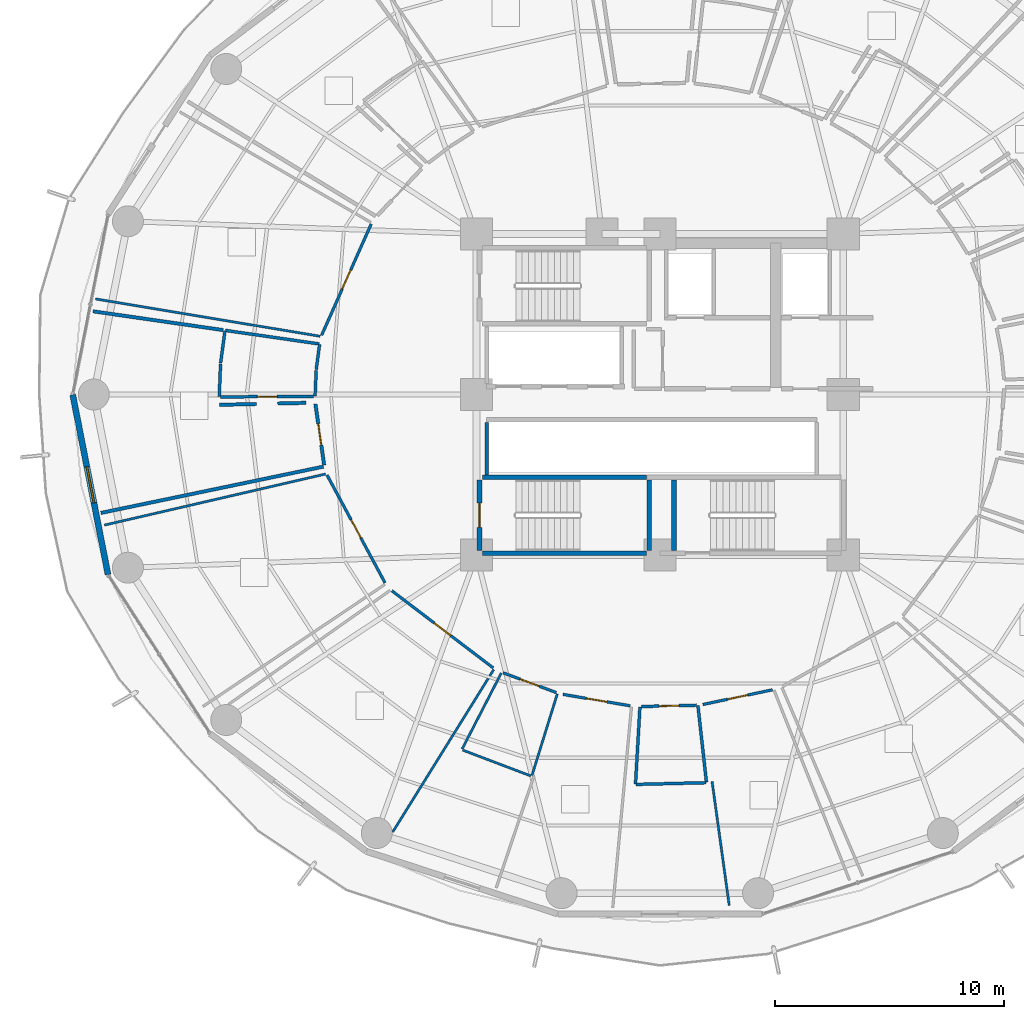
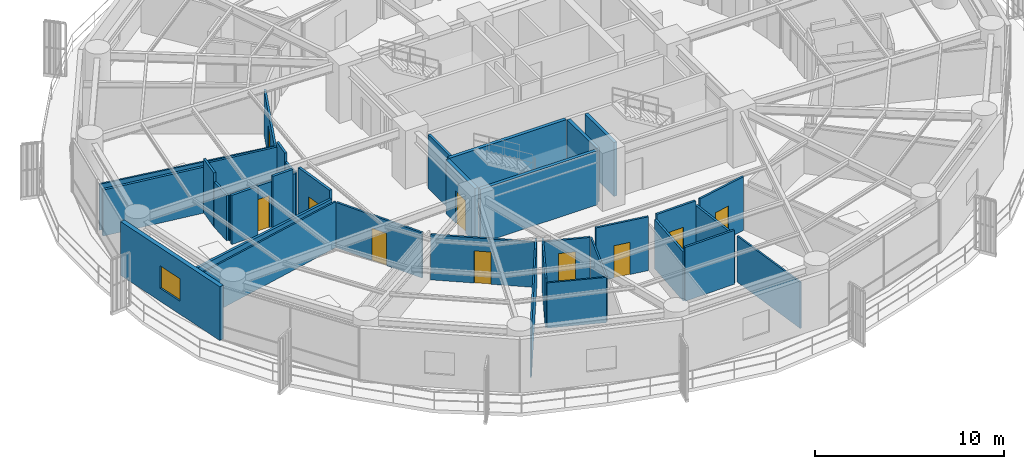
# One storey, part 27 of 35: 35 walls, 10 doors, 1 window, 11 openings.
"""IFC4 building model written with IfcOpenShell, lengths in metres."""

from ifc_helpers import new_model, si_unit, direction, frame, frame_2d, origin, place, context, subcontext, project, spatial, rectangle, extrude, material, layer, layer_set, type_object, element, fill, save


model = new_model("IFC4")

# Units and contexts
model_context = context("Model", 3, precision=1e-05, world=origin(), true_north=direction((0.0, 1.0)))
body_context = subcontext(model_context, "Body", "Model", "MODEL_VIEW")
ifc_project = project(units=[si_unit("LENGTHUNIT", "METRE"), si_unit("AREAUNIT", "SQUARE_METRE"), si_unit("VOLUMEUNIT", "CUBIC_METRE"), si_unit("PLANEANGLEUNIT", "RADIAN"), si_unit("MASSUNIT", "GRAM", prefix="KILO")], contexts=[model_context])

# Site, building, storey
site_placement = place(None, origin())
site = spatial("IfcSite", under=ifc_project, at=site_placement, CompositionType="ELEMENT")
building_placement = place(site_placement, origin())
building = spatial("IfcBuilding", under=site, at=building_placement, Name="Kelanora Arch Commons", CompositionType="ELEMENT")
storey_placement = place(building_placement, frame((0.0, 0.0, 95.10009765625)))
storey = spatial("IfcBuildingStorey", under=building, at=storey_placement, Name="L24", CompositionType="ELEMENT", Elevation=95.10009765625)

# Wall
ifc_material_1 = material(Name="Autoclaved aerated concrete blockwork with fire plaster", Category="masonry")
ifc_layer_1 = layer(ifc_material_1, 0.14990234375)
ifc_layer_set_1 = layer_set([ifc_layer_1], Name="Autoclaved aerated concrete blockwork with fire plaster")
wall_type_1 = type_object("IfcWallType", Name="W-COMP-150", PredefinedType="PARTITIONING", material=ifc_layer_set_1)
wall_1_placement = place(storey_placement, frame((66.4599609375, 54.47998046875, 0.0), z_axis=(0.0, 0.0, 1.0), x_axis=(0.0, 1.0, 0.0)))
element("IfcWall", 1, at=wall_1_placement, inside=storey, type_object=wall_type_1, Name="South Lift Bank West Wall L24", PredefinedType="PARTITIONING", context=body_context, shape_type="SweptSolid", body=[
    extrude(rectangle(XDim=2.2900390625, YDim=0.14990234375, at=frame_2d((1.14501953125, 0.0))), origin(), (0.0, 0.0, 1.0), 3.47998046875),
])

# Wall, opening, door
wall_2_placement = place(storey_placement, frame((58.9833984375, 57.585693359375, 0.0), z_axis=(0.0, 0.0, 1.0), x_axis=(0.141700939895, -0.989909512851, 0.0)))
wall_2 = element("IfcWall", 2, at=wall_2_placement, inside=storey, type_object=wall_type_1, Name="Co-Living Studio L24-07 Entry Partition", PredefinedType="PARTITIONING", context=body_context, shape_type="SweptSolid", body=[
    extrude(rectangle(XDim=2.689453125, YDim=0.14990234375, at=frame_2d((1.3447265625, 0.0))), origin(), (0.0, 0.0, 1.0), 3.47998046875),
])
opening_1_placement = place(wall_2_placement, frame((0.8701171875, 0.0, 0.0)))
opening_1 = element("IfcOpeningElement", 3, at=opening_1_placement, cuts=wall_2, Name="Opening D-CLU1", PredefinedType="OPENING", context=body_context, shape_type="SweptSolid", body=[
    extrude(rectangle(XDim=0.949951171875, YDim=2.080078125, at=frame_2d((0.47509765625, 1.0400390625))), frame((0.0, 0.0849609375, 0.0), z_axis=(0.0, -1.0, 0.0), x_axis=(1.0, 0.0, 0.0)), (0.0, 0.0, 1.0), 0.169921875),
])
ifc_material_2 = material(Name="Solid-core acoustic timber cluster entry fire door", Category="wood")
door_type_1 = type_object("IfcDoorType", Name="D-CLU-95", OperationType="NOTDEFINED", PredefinedType="DOOR", material=ifc_material_2)
door_1_placement = place(opening_1_placement, origin())
door_1 = element("IfcDoor", 4, at=door_1_placement, inside=storey, type_object=door_type_1, Name="Co-Living Studio L24-07 Door", OperationType="SINGLE_SWING_RIGHT", OverallHeight=2.080078125, OverallWidth=0.949951171875, PredefinedType="DOOR", context=body_context, shape_type="SweptSolid", body=[
    extrude(rectangle(XDim=0.949951171875, YDim=2.080078125, at=frame_2d((0.47509765625, 1.0400390625))), frame((0.0, 0.02490234375, 0.0), z_axis=(0.0, -1.0, 0.0), x_axis=(1.0, 0.0, 0.0)), (0.0, 0.0, 1.0), 0.050048828125),
])
fill(opening_1, door_1)

# Walls
wall_3_placement = place(storey_placement, frame((59.333740234375, 54.855712890625, 0.0), z_axis=(0.0, 0.0, 1.0), x_axis=(-0.979013610983, -0.203794871157, 0.0)))
element("IfcWall", 5, at=wall_3_placement, inside=storey, type_object=wall_type_1, Name="Co-Living Studio L24-07 Enclosure Partition 2", PredefinedType="PARTITIONING", context=body_context, shape_type="SweptSolid", body=[
    extrude(rectangle(XDim=9.90966796875, YDim=0.14990234375, at=frame_2d((4.954833984375, 0.0))), origin(), (0.0, 0.0, 1.0), 2.974853515625),
])
wall_4_placement = place(storey_placement, frame((49.28955078125, 61.627197265625, 0.0), z_axis=(0.0, 0.0, 1.0), x_axis=(0.989748303042, -0.142822605444, 0.0)))
element("IfcWall", 6, at=wall_4_placement, inside=storey, type_object=wall_type_1, Name="Co-Living Studio L24-07 Enclosure Partition 5", PredefinedType="PARTITIONING", context=body_context, shape_type="SweptSolid", body=[
    extrude(rectangle(XDim=5.731689453125, YDim=0.14990234375, at=frame_2d((2.86572265625, 0.0))), origin(), (0.0, 0.0, 1.0), 2.974853515625),
])
wall_5_placement = place(storey_placement, frame((54.7958984375, 57.548828125, 0.0), z_axis=(0.0, 0.0, 1.0), x_axis=(0.999735829312, 0.022984159562, 0.0)))
element("IfcWall", 7, at=wall_5_placement, inside=storey, type_object=wall_type_1, Name="Co-Living Studio L24-07 Enclosure Partition 7", PredefinedType="PARTITIONING", context=body_context, shape_type="SweptSolid", body=[
    extrude(rectangle(XDim=1.625244140625, YDim=0.14990234375, at=frame_2d((0.8125, 0.0))), origin(), (0.0, 0.0, 1.0), 3.1748046875),
])
wall_6_placement = place(storey_placement, frame((57.340576171875, 57.607421875, 0.0), z_axis=(0.0, 0.0, 1.0), x_axis=(0.999735089114, 0.02301633322, 0.0)))
element("IfcWall", 8, at=wall_6_placement, inside=storey, type_object=wall_type_1, Name="Co-Living Studio L24-07 Enclosure Partition 7", PredefinedType="PARTITIONING", context=body_context, shape_type="SweptSolid", body=[
    extrude(rectangle(XDim=1.240966796875, YDim=0.14990234375, at=frame_2d((0.62060546875, 0.0))), origin(), (0.0, 0.0, 1.0), 3.47998046875),
])

# Wall, opening, window
ifc_material_3 = material(Name="Precast concrete C40/50 with terracotta rainscreen", Category="masonry")
ifc_layer_2 = layer(ifc_material_3, 0.260009765625)
ifc_layer_set_2 = layer_set([ifc_layer_2], Name="Precast concrete C40/50 with terracotta rainscreen")
wall_type_2 = type_object("IfcWallType", Name="W-EXT-TC", PredefinedType="SOLIDWALL", material=ifc_layer_set_2)
wall_7_placement = place(storey_placement, frame((48.40283203125, 57.9853515625, 0.0), z_axis=(0.0, 0.0, 1.0), x_axis=(0.192581843632, -0.981280914674, 0.0)))
wall_7 = element("IfcWall", 9, at=wall_7_placement, inside=storey, type_object=wall_type_2, Name="Terracotta Exterior Wall L24-B09", PredefinedType="SOLIDWALL", context=body_context, shape_type="SweptSolid", body=[
    extrude(rectangle(XDim=7.986572265625, YDim=0.260009765625, at=frame_2d((3.9931640625, 0.0))), origin(), (0.0, 0.0, 1.0), 3.474853515625),
])
opening_2_placement = place(wall_7_placement, frame((3.193115234375, 0.0, 0.85009765625)))
opening_2 = element("IfcOpeningElement", 10, at=opening_2_placement, cuts=wall_7, Name="Opening WN-01", PredefinedType="OPENING", context=body_context, shape_type="SweptSolid", body=[
    extrude(rectangle(XDim=1.60009765625, YDim=1.449951171875, at=frame_2d((0.800048828125, 0.72509765625))), frame((0.0, 0.14013671875, 0.0), z_axis=(0.0, -1.0, 0.0), x_axis=(1.0, 0.0, 0.0)), (0.0, 0.0, 1.0), 0.280029296875),
])
ifc_material_4 = material(Name="Terracotta-anodised aluminium frame with operable low-E glazing", Category="masonry")
window_type = type_object("IfcWindowType", Name="WIN-CL-18", PartitioningType="DOUBLE_PANEL_VERTICAL", PredefinedType="WINDOW", material=ifc_material_4)
window_placement = place(opening_2_placement, origin())
window = element("IfcWindow", 11, at=window_placement, inside=storey, type_object=window_type, Name="Co-Living Operable Window L24-B09", OverallHeight=1.449951171875, OverallWidth=1.60009765625, PartitioningType="SINGLE_PANEL", PredefinedType="WINDOW", context=body_context, shape_type="SweptSolid", body=[
    extrude(rectangle(XDim=1.60009765625, YDim=1.449951171875, at=frame_2d((0.800048828125, 0.72509765625))), frame((0.0, 0.030029296875, 0.0), z_axis=(0.0, -1.0, 0.0), x_axis=(1.0, 0.0, 0.0)), (0.0, 0.0, 1.0), 0.06005859375),
])
fill(opening_2, window)

# Walls
ifc_material_5 = material(Name="Lightweight fire-rated acoustic stud partition")
ifc_layer_3 = layer(ifc_material_5, 0.10009765625)
ifc_layer_set_3 = layer_set([ifc_layer_3], Name="Lightweight fire-rated acoustic stud partition")
wall_type_3 = type_object("IfcWallType", Name="W-PART-100", PredefinedType="PARTITIONING", material=ifc_layer_set_3)
wall_8_placement = place(storey_placement, frame((59.19140625, 60.53759765625, 0.0), z_axis=(0.0, 0.0, 1.0), x_axis=(-0.986439069388, 0.16412788424, 0.0)))
element("IfcWall", 12, at=wall_8_placement, inside=storey, type_object=wall_type_3, Name="Social Sky Lounge L24-06 Enclosure Partition 2", PredefinedType="PARTITIONING", context=body_context, shape_type="SweptSolid", body=[
    extrude(rectangle(XDim=9.9306640625, YDim=0.10009765625, at=frame_2d((4.96533203125, 0.0))), origin(), (0.0, 0.0, 1.0), 2.974853515625),
])
wall_9_placement = place(storey_placement, frame((49.780029296875, 52.304931640625, 0.0), z_axis=(0.0, 0.0, 1.0), x_axis=(0.9743529317, 0.225025252999, 0.0)))
element("IfcWall", 13, at=wall_9_placement, inside=storey, type_object=wall_type_3, Name="Quiet Seminar Study Room L24-08 Enclosure Partition 4", PredefinedType="PARTITIONING", context=body_context, shape_type="SweptSolid", body=[
    extrude(rectangle(XDim=9.89697265625, YDim=0.10009765625, at=frame_2d((4.948486328125, 0.0))), origin(), (0.0, 0.0, 1.0), 2.974853515625),
])
wall_10_placement = place(storey_placement, frame((66.760986328125, 46.010009765625, 0.0), z_axis=(0.0, 0.0, 1.0), x_axis=(-0.528015738644, -0.849234584638, 0.0)))
element("IfcWall", 14, at=wall_10_placement, inside=storey, type_object=wall_type_3, Name="Communal Dining and Social Hall L24-09 Enclosure Partition 2", PredefinedType="PARTITIONING", context=body_context, shape_type="SweptSolid", body=[
    extrude(rectangle(XDim=8.33837890625, YDim=0.10009765625, at=frame_2d((4.169189453125, 0.0))), origin(), (0.0, 0.0, 1.0), 3.1748046875),
])
wall_11_placement = place(storey_placement, frame((69.530029296875, 44.94482421875, 0.0), z_axis=(0.0, 0.0, 1.0), x_axis=(-0.296510682072, -0.955029536411, 0.0)))
element("IfcWall", 15, at=wall_11_placement, inside=storey, type_object=wall_type_3, Name="Student Laundry Room L24-10 Enclosure Partition 2", PredefinedType="PARTITIONING", context=body_context, shape_type="SweptSolid", body=[
    extrude(rectangle(XDim=3.719970703125, YDim=0.10009765625, at=frame_2d((1.85986328125, 0.0))), origin(), (0.0, 0.0, 1.0), 2.9248046875),
])
wall_12_placement = place(storey_placement, frame((68.377685546875, 41.3681640625, 0.0), z_axis=(0.0, 0.0, 1.0), x_axis=(-0.935027341219, 0.354575621233, 0.0)))
element("IfcWall", 16, at=wall_12_placement, inside=storey, type_object=wall_type_3, Name="Student Laundry Room L24-10 Enclosure Partition 3", PredefinedType="PARTITIONING", context=body_context, shape_type="SweptSolid", body=[
    extrude(rectangle(XDim=3.18310546875, YDim=0.10009765625, at=frame_2d((1.591552734375, 0.0))), origin(), (0.0, 0.0, 1.0), 2.9248046875),
])
wall_13_placement = place(storey_placement, frame((65.38232421875, 42.54638671875, 0.0), z_axis=(0.0, 0.0, 1.0), x_axis=(0.458413879464, 0.888738834031, 0.0)))
element("IfcWall", 17, at=wall_13_placement, inside=storey, type_object=wall_type_3, Name="Student Laundry Room L24-10 Enclosure Partition 4", PredefinedType="PARTITIONING", context=body_context, shape_type="SweptSolid", body=[
    extrude(rectangle(XDim=3.719970703125, YDim=0.10009765625, at=frame_2d((1.85986328125, 0.0))), origin(), (0.0, 0.0, 1.0), 3.1748046875),
])
wall_14_placement = place(storey_placement, frame((77.026611328125, 35.724609375, 0.0), z_axis=(0.0, 0.0, 1.0), x_axis=(-0.136996790132, 0.990571491359, 0.0)))
element("IfcWall", 18, at=wall_14_placement, inside=storey, type_object=wall_type_3, Name="Tutorial Study Alcove L24-11 Enclosure Partition 4", PredefinedType="PARTITIONING", context=body_context, shape_type="SweptSolid", body=[
    extrude(rectangle(XDim=5.44775390625, YDim=0.10009765625, at=frame_2d((2.723876953125, 0.0))), origin(), (0.0, 0.0, 1.0), 2.974853515625),
])

# Wall, opening, door
ifc_material_6 = material(Name="Acoustic twin-stud fire-rated gypsum partition")
ifc_layer_4 = layer(ifc_material_6, 0.1201171875)
ifc_layer_set_4 = layer_set([ifc_layer_4], Name="Acoustic twin-stud fire-rated gypsum partition")
wall_type_4 = type_object("IfcWallType", Name="W-PART-120", PredefinedType="PARTITIONING", material=ifc_layer_set_4)
wall_15_placement = place(storey_placement, frame((61.41357421875, 65.42822265625, 0.0), z_axis=(0.0, 0.0, 1.0), x_axis=(-0.407078232177, -0.913393295841, 0.0)))
wall_15 = element("IfcWall", 19, at=wall_15_placement, inside=storey, type_object=wall_type_4, Name="Social Sky Lounge L24-06 Entry Partition", PredefinedType="PARTITIONING", context=body_context, shape_type="SweptSolid", body=[
    extrude(rectangle(XDim=5.3017578125, YDim=0.1201171875, at=frame_2d((2.65087890625, 0.0))), origin(), (0.0, 0.0, 1.0), 2.9248046875),
])
opening_3_placement = place(wall_15_placement, frame((2.200927734375, 0.0, 0.0)))
opening_3 = element("IfcOpeningElement", 20, at=opening_3_placement, cuts=wall_15, Name="Opening D-RM1", PredefinedType="OPENING", context=body_context, shape_type="SweptSolid", body=[
    extrude(rectangle(XDim=0.89990234375, YDim=2.080078125, at=frame_2d((0.449951171875, 1.0400390625))), frame((0.0, 0.070068359375, 0.0), z_axis=(0.0, -1.0, 0.0), x_axis=(1.0, 0.0, 0.0)), (0.0, 0.0, 1.0), 0.14013671875),
])
ifc_material_7 = material(Name="Acoustic fire-rated timber study and lounge door", Category="wood")
door_type_2 = type_object("IfcDoorType", Name="D-ROOM-90", OperationType="NOTDEFINED", PredefinedType="DOOR", material=ifc_material_7)
door_2_placement = place(opening_3_placement, origin())
door_2 = element("IfcDoor", 21, at=door_2_placement, inside=storey, type_object=door_type_2, Name="Social Sky Lounge L24-06 Door", OperationType="SINGLE_SWING_RIGHT", OverallHeight=2.080078125, OverallWidth=0.89990234375, PredefinedType="DOOR", context=body_context, shape_type="SweptSolid", body=[
    extrude(rectangle(XDim=0.89990234375, YDim=2.080078125, at=frame_2d((0.449951171875, 1.0400390625))), frame((0.0, 0.02490234375, 0.0), z_axis=(0.0, -1.0, 0.0), x_axis=(1.0, 0.0, 0.0)), (0.0, 0.0, 1.0), 0.050048828125),
])
fill(opening_3, door_2)

wall_16_placement = place(storey_placement, frame((59.490478515625, 54.48828125, 0.0), z_axis=(0.0, 0.0, 1.0), x_axis=(0.473630069111, -0.880723882743, 0.0)))
wall_16 = element("IfcWall", 22, at=wall_16_placement, inside=storey, type_object=wall_type_4, Name="Quiet Seminar Study Room L24-08 Entry Partition", PredefinedType="PARTITIONING", context=body_context, shape_type="SweptSolid", body=[
    extrude(rectangle(XDim=5.33154296875, YDim=0.1201171875, at=frame_2d((2.665771484375, 0.0))), origin(), (0.0, 0.0, 1.0), 2.9248046875),
])
opening_4_placement = place(wall_16_placement, frame((2.216064453125, 0.0, 0.0)))
opening_4 = element("IfcOpeningElement", 23, at=opening_4_placement, cuts=wall_16, Name="Opening D-RM1", PredefinedType="OPENING", context=body_context, shape_type="SweptSolid", body=[
    extrude(rectangle(XDim=0.89990234375, YDim=2.080078125, at=frame_2d((0.449951171875, 1.0400390625))), frame((0.0, 0.070068359375, 0.0), z_axis=(0.0, -1.0, 0.0), x_axis=(1.0, 0.0, 0.0)), (0.0, 0.0, 1.0), 0.14013671875),
])
door_3_placement = place(opening_4_placement, origin())
door_3 = element("IfcDoor", 24, at=door_3_placement, inside=storey, type_object=door_type_2, Name="Quiet Seminar Study Room L24-08 Door", OperationType="SINGLE_SWING_LEFT", OverallHeight=2.080078125, OverallWidth=0.89990234375, PredefinedType="DOOR", context=body_context, shape_type="SweptSolid", body=[
    extrude(rectangle(XDim=0.89990234375, YDim=2.080078125, at=frame_2d((0.449951171875, 1.0400390625))), frame((0.0, 0.02490234375, 0.0), z_axis=(0.0, -1.0, 0.0), x_axis=(1.0, 0.0, 0.0)), (0.0, 0.0, 1.0), 0.050048828125),
])
fill(opening_4, door_3)

wall_17_placement = place(storey_placement, frame((62.317626953125, 49.441650390625, 0.0), z_axis=(0.0, 0.0, 1.0), x_axis=(0.795762794985, -0.605608432997, 0.0)))
wall_17 = element("IfcWall", 25, at=wall_17_placement, inside=storey, type_object=wall_type_4, Name="Communal Dining and Social Hall L24-09 Entry Partition", PredefinedType="PARTITIONING", context=body_context, shape_type="SweptSolid", body=[
    extrude(rectangle(XDim=5.55029296875, YDim=0.1201171875, at=frame_2d((2.775146484375, 0.0))), origin(), (0.0, 0.0, 1.0), 2.9248046875),
])
opening_5_placement = place(wall_17_placement, frame((2.324951171875, 0.0, 0.0)))
opening_5 = element("IfcOpeningElement", 26, at=opening_5_placement, cuts=wall_17, Name="Opening D-RM1", PredefinedType="OPENING", context=body_context, shape_type="SweptSolid", body=[
    extrude(rectangle(XDim=0.89990234375, YDim=2.080078125, at=frame_2d((0.449951171875, 1.0400390625))), frame((0.0, 0.070068359375, 0.0), z_axis=(0.0, -1.0, 0.0), x_axis=(1.0, 0.0, 0.0)), (0.0, 0.0, 1.0), 0.14013671875),
])
door_4_placement = place(opening_5_placement, origin())
door_4 = element("IfcDoor", 27, at=door_4_placement, inside=storey, type_object=door_type_2, Name="Communal Dining and Social Hall L24-09 Door", OperationType="SINGLE_SWING_RIGHT", OverallHeight=2.080078125, OverallWidth=0.89990234375, PredefinedType="DOOR", context=body_context, shape_type="SweptSolid", body=[
    extrude(rectangle(XDim=0.89990234375, YDim=2.080078125, at=frame_2d((0.449951171875, 1.0400390625))), frame((0.0, 0.02490234375, 0.0), z_axis=(0.0, -1.0, 0.0), x_axis=(1.0, 0.0, 0.0)), (0.0, 0.0, 1.0), 0.050048828125),
])
fill(opening_5, door_4)

wall_18_placement = place(storey_placement, frame((67.162109375, 45.8671875, 0.0), z_axis=(0.0, 0.0, 1.0), x_axis=(0.937401389833, -0.348250821018, 0.0)))
wall_18 = element("IfcWall", 28, at=wall_18_placement, inside=storey, type_object=wall_type_4, Name="Student Laundry Room L24-10 Entry Partition", PredefinedType="PARTITIONING", context=body_context, shape_type="SweptSolid", body=[
    extrude(rectangle(XDim=2.47900390625, YDim=0.1201171875, at=frame_2d((1.239501953125, 0.0))), origin(), (0.0, 0.0, 1.0), 2.9248046875),
])
opening_6_placement = place(wall_18_placement, frame((0.7890625, 0.0, 0.0)))
opening_6 = element("IfcOpeningElement", 29, at=opening_6_placement, cuts=wall_18, Name="Opening D-RM1", PredefinedType="OPENING", context=body_context, shape_type="SweptSolid", body=[
    extrude(rectangle(XDim=0.89990234375, YDim=2.080078125, at=frame_2d((0.449951171875, 1.0400390625))), frame((0.0, 0.070068359375, 0.0), z_axis=(0.0, -1.0, 0.0), x_axis=(1.0, 0.0, 0.0)), (0.0, 0.0, 1.0), 0.14013671875),
])
door_5_placement = place(opening_6_placement, origin())
door_5 = element("IfcDoor", 30, at=door_5_placement, inside=storey, type_object=door_type_2, Name="Student Laundry Room L24-10 Door", OperationType="SINGLE_SWING_LEFT", OverallHeight=2.080078125, OverallWidth=0.89990234375, PredefinedType="DOOR", context=body_context, shape_type="SweptSolid", body=[
    extrude(rectangle(XDim=0.89990234375, YDim=2.080078125, at=frame_2d((0.449951171875, 1.0400390625))), frame((0.0, 0.02490234375, 0.0), z_axis=(0.0, -1.0, 0.0), x_axis=(1.0, 0.0, 0.0)), (0.0, 0.0, 1.0), 0.050048828125),
])
fill(opening_6, door_5)

wall_19_placement = place(storey_placement, frame((69.777099609375, 44.9248046875, 0.0), z_axis=(0.0, 0.0, 1.0), x_axis=(0.985835901267, -0.167712777608, 0.0)))
wall_19 = element("IfcWall", 31, at=wall_19_placement, inside=storey, type_object=wall_type_4, Name="Quiet Reading Carrel L24-10 Entry Partition", PredefinedType="PARTITIONING", context=body_context, shape_type="SweptSolid", body=[
    extrude(rectangle(XDim=2.97412109375, YDim=0.1201171875, at=frame_2d((1.487060546875, 0.0))), origin(), (0.0, 0.0, 1.0), 3.47998046875),
])
opening_7_placement = place(wall_19_placement, frame((1.037109375, 0.0, 0.0)))
opening_7 = element("IfcOpeningElement", 32, at=opening_7_placement, cuts=wall_19, Name="Opening D-RM1", PredefinedType="OPENING", context=body_context, shape_type="SweptSolid", body=[
    extrude(rectangle(XDim=0.89990234375, YDim=2.080078125, at=frame_2d((0.449951171875, 1.0400390625))), frame((0.0, 0.070068359375, 0.0), z_axis=(0.0, -1.0, 0.0), x_axis=(1.0, 0.0, 0.0)), (0.0, 0.0, 1.0), 0.14013671875),
])
door_6_placement = place(opening_7_placement, origin())
door_6 = element("IfcDoor", 33, at=door_6_placement, inside=storey, type_object=door_type_2, Name="Quiet Reading Carrel L24-10 Door", OperationType="SINGLE_SWING_RIGHT", OverallHeight=2.080078125, OverallWidth=0.89990234375, PredefinedType="DOOR", context=body_context, shape_type="SweptSolid", body=[
    extrude(rectangle(XDim=0.89990234375, YDim=2.080078125, at=frame_2d((0.449951171875, 1.0400390625))), frame((0.0, 0.02490234375, 0.0), z_axis=(0.0, -1.0, 0.0), x_axis=(1.0, 0.0, 0.0)), (0.0, 0.0, 1.0), 0.050048828125),
])
fill(opening_7, door_6)

wall_20_placement = place(storey_placement, frame((75.875732421875, 44.482421875, 0.0), z_axis=(0.0, 0.0, 1.0), x_axis=(0.978387400111, 0.206780306856, 0.0)))
wall_20 = element("IfcWall", 34, at=wall_20_placement, inside=storey, type_object=wall_type_4, Name="Tutorial Study Alcove L24-11 Entry Partition", PredefinedType="PARTITIONING", context=body_context, shape_type="SweptSolid", body=[
    extrude(rectangle(XDim=3.100341796875, YDim=0.1201171875, at=frame_2d((1.55029296875, 0.0))), origin(), (0.0, 0.0, 1.0), 3.47998046875),
])
opening_8_placement = place(wall_20_placement, frame((1.10009765625, 0.0, 0.0)))
opening_8 = element("IfcOpeningElement", 35, at=opening_8_placement, cuts=wall_20, Name="Opening D-RM1", PredefinedType="OPENING", context=body_context, shape_type="SweptSolid", body=[
    extrude(rectangle(XDim=0.89990234375, YDim=2.080078125, at=frame_2d((0.449951171875, 1.0400390625))), frame((0.0, 0.070068359375, 0.0), z_axis=(0.0, -1.0, 0.0), x_axis=(1.0, 0.0, 0.0)), (0.0, 0.0, 1.0), 0.14013671875),
])
door_7_placement = place(opening_8_placement, origin())
door_7 = element("IfcDoor", 36, at=door_7_placement, inside=storey, type_object=door_type_2, Name="Tutorial Study Alcove L24-11 Door", OperationType="SINGLE_SWING_RIGHT", OverallHeight=2.080078125, OverallWidth=0.89990234375, PredefinedType="DOOR", context=body_context, shape_type="SweptSolid", body=[
    extrude(rectangle(XDim=0.89990234375, YDim=2.080078125, at=frame_2d((0.449951171875, 1.0400390625))), frame((0.0, 0.02490234375, 0.0), z_axis=(0.0, -1.0, 0.0), x_axis=(1.0, 0.0, 0.0)), (0.0, 0.0, 1.0), 0.050048828125),
])
fill(opening_8, door_7)

# Walls
ifc_material_8 = material(Name="Concrete C40/50", Category="concrete")
ifc_layer_5 = layer(ifc_material_8, 0.199951171875)
ifc_layer_set_5 = layer_set([ifc_layer_5], Name="Concrete C40/50")
wall_type_5 = type_object("IfcWallType", Name="W-STAIR-200", PredefinedType="SHEAR", material=ifc_layer_set_5)
wall_21_placement = place(storey_placement, frame((74.6201171875, 54.27001953125, 0.0), z_axis=(0.0, 0.0, 1.0), x_axis=(0.0, -1.0, 0.0)))
element("IfcWall", 37, at=wall_21_placement, inside=storey, type_object=wall_type_5, Name="Stair ST-T2 Shaft Wall W L24", PredefinedType="SHEAR", context=body_context, shape_type="SweptSolid", body=[
    extrude(rectangle(XDim=3.070068359375, YDim=0.199951171875, at=frame_2d((1.53515625, 0.0))), origin(), (0.0, 0.0, 1.0), 3.489990234375),
])
wall_22_placement = place(storey_placement, frame((66.260009765625, 51.080078125, 0.0), z_axis=(0.0, 0.0, 1.0), x_axis=(1.0, 0.0, 0.0)))
element("IfcWall", 38, at=wall_22_placement, inside=storey, type_object=wall_type_5, Name="Stair ST-T3 Shaft Wall S L24", PredefinedType="SHEAR", context=body_context, shape_type="SweptSolid", body=[
    extrude(rectangle(XDim=7.159912109375, YDim=0.199951171875, at=frame_2d((3.580078125, 0.0))), origin(), (0.0, 0.0, 1.0), 3.489990234375),
])
wall_23_placement = place(storey_placement, frame((73.5400390625, 51.199951171875, 0.0), z_axis=(0.0, 0.0, 1.0), x_axis=(0.0, 1.0, 0.0)))
element("IfcWall", 39, at=wall_23_placement, inside=storey, type_object=wall_type_5, Name="Stair ST-T3 Shaft Wall E L24", PredefinedType="SHEAR", context=body_context, shape_type="SweptSolid", body=[
    extrude(rectangle(XDim=3.070068359375, YDim=0.199951171875, at=frame_2d((1.53515625, 0.0))), origin(), (0.0, 0.0, 1.0), 3.489990234375),
])
wall_24_placement = place(storey_placement, frame((73.419921875, 54.389892578125, 0.0), z_axis=(0.0, 0.0, 1.0), x_axis=(-1.0, 0.0, 0.0)))
element("IfcWall", 40, at=wall_24_placement, inside=storey, type_object=wall_type_5, Name="Stair ST-T3 Shaft Wall N L24", PredefinedType="SHEAR", context=body_context, shape_type="SweptSolid", body=[
    extrude(rectangle(XDim=7.159912109375, YDim=0.199951171875, at=frame_2d((3.580078125, 0.0))), origin(), (0.0, 0.0, 1.0), 3.489990234375),
])

# Wall, opening, door
wall_25_placement = place(storey_placement, frame((66.139892578125, 54.27001953125, 0.0), z_axis=(0.0, 0.0, 1.0), x_axis=(0.0, -1.0, 0.0)))
wall_25 = element("IfcWall", 41, at=wall_25_placement, inside=storey, type_object=wall_type_5, Name="Stair ST-T3 Shaft Wall W L24", PredefinedType="SHEAR", context=body_context, shape_type="SweptSolid", body=[
    extrude(rectangle(XDim=3.070068359375, YDim=0.199951171875, at=frame_2d((1.53515625, 0.0))), origin(), (0.0, 0.0, 1.0), 3.489990234375),
])
opening_9_placement = place(wall_25_placement, frame((1.010009765625, 0.0, 0.0)))
opening_9 = element("IfcOpeningElement", 42, at=opening_9_placement, cuts=wall_25, Name="Opening D-ST1", PredefinedType="OPENING", context=body_context, shape_type="SweptSolid", body=[
    extrude(rectangle(XDim=1.050048828125, YDim=2.10009765625, at=frame_2d((0.52490234375, 1.050048828125))), frame((0.0, 0.10986328125, 0.0), z_axis=(0.0, -1.0, 0.0), x_axis=(1.0, 0.0, 0.0)), (0.0, 0.0, 1.0), 0.219970703125),
])
ifc_material_9 = material(Name="Steel fire-rated stairwell escape door", Category="steel")
door_type_3 = type_object("IfcDoorType", Name="D-STAIR-110", OperationType="NOTDEFINED", PredefinedType="DOOR", material=ifc_material_9)
door_8_placement = place(opening_9_placement, origin())
door_8 = element("IfcDoor", 43, at=door_8_placement, inside=storey, type_object=door_type_3, Name="Stair ST-T3 Escape Door L24", OperationType="SINGLE_SWING_LEFT", OverallHeight=2.10009765625, OverallWidth=1.050048828125, PredefinedType="DOOR", context=body_context, shape_type="SweptSolid", body=[
    extrude(rectangle(XDim=1.050048828125, YDim=2.10009765625, at=frame_2d((0.52490234375, 1.050048828125))), frame((0.0, 0.02490234375, 0.0), z_axis=(0.0, -1.0, 0.0), x_axis=(1.0, 0.0, 0.0)), (0.0, 0.0, 1.0), 0.050048828125),
])
fill(opening_9, door_8)

ifc_material_10 = material(Name="Moisture-resistant fire-rated cement-board plumbing wall")
ifc_layer_6 = layer(ifc_material_10, 0.1298828125)
ifc_layer_set_6 = layer_set([ifc_layer_6], Name="Moisture-resistant fire-rated cement-board plumbing wall")
wall_type_6 = type_object("IfcWallType", Name="W-WET-120", PredefinedType="PLUMBINGWALL", material=ifc_layer_set_6)
wall_26_placement = place(storey_placement, frame((58.909912109375, 57.917724609375, 0.0), z_axis=(0.0, 0.0, 1.0), x_axis=(-0.999986004608, -0.005290613143, 0.0)))
wall_26 = element("IfcWall", 44, at=wall_26_placement, inside=storey, type_object=wall_type_6, Name="En-Suite Shower WC L24-07 Entry Partition", PredefinedType="PLUMBINGWALL", context=body_context, shape_type="SweptSolid", body=[
    extrude(rectangle(XDim=4.060791015625, YDim=0.1298828125, at=frame_2d((2.0302734375, 0.0))), origin(), (0.0, 0.0, 1.0), 2.9248046875),
])
opening_10_placement = place(wall_26_placement, frame((1.60107421875, 0.0, 0.0)))
opening_10 = element("IfcOpeningElement", 45, at=opening_10_placement, cuts=wall_26, Name="Opening D-BT1", PredefinedType="OPENING", context=body_context, shape_type="SweptSolid", body=[
    extrude(rectangle(XDim=0.860107421875, YDim=2.050048828125, at=frame_2d((0.43017578125, 1.02490234375))), frame((0.0, 0.074951171875, 0.0), z_axis=(0.0, -1.0, 0.0), x_axis=(1.0, 0.0, 0.0)), (0.0, 0.0, 1.0), 0.14990234375),
])
ifc_material_11 = material(Name="Moisture-sealed fire-rated accessible bathroom door")
door_type_4 = type_object("IfcDoorType", Name="D-BATH-85", OperationType="NOTDEFINED", PredefinedType="DOOR", material=ifc_material_11)
door_9_placement = place(opening_10_placement, origin())
door_9 = element("IfcDoor", 46, at=door_9_placement, inside=storey, type_object=door_type_4, Name="En-Suite Shower WC L24-07 Door", OperationType="SINGLE_SWING_LEFT", OverallHeight=2.050048828125, OverallWidth=0.860107421875, PredefinedType="DOOR", context=body_context, shape_type="SweptSolid", body=[
    extrude(rectangle(XDim=0.860107421875, YDim=2.050048828125, at=frame_2d((0.43017578125, 1.02490234375))), frame((0.0, 0.02490234375, 0.0), z_axis=(0.0, -1.0, 0.0), x_axis=(1.0, 0.0, 0.0)), (0.0, 0.0, 1.0), 0.050048828125),
])
fill(opening_10, door_9)

wall_27_placement = place(storey_placement, frame((73.195068359375, 44.394287109375, 0.0), z_axis=(0.0, 0.0, 1.0), x_axis=(0.999715810971, 0.023838986867, 0.0)))
wall_27 = element("IfcWall", 47, at=wall_27_placement, inside=storey, type_object=wall_type_6, Name="Accessible Shared Floor WC L24-11 Entry Partition", PredefinedType="PLUMBINGWALL", context=body_context, shape_type="SweptSolid", body=[
    extrude(rectangle(XDim=2.40673828125, YDim=0.1298828125, at=frame_2d((1.203369140625, 0.0))), origin(), (0.0, 0.0, 1.0), 3.47998046875),
])
opening_11_placement = place(wall_27_placement, frame((0.77294921875, 0.0, 0.0)))
opening_11 = element("IfcOpeningElement", 48, at=opening_11_placement, cuts=wall_27, Name="Opening D-BT1", PredefinedType="OPENING", context=body_context, shape_type="SweptSolid", body=[
    extrude(rectangle(XDim=0.860107421875, YDim=2.050048828125, at=frame_2d((0.43017578125, 1.02490234375))), frame((0.0, 0.074951171875, 0.0), z_axis=(0.0, -1.0, 0.0), x_axis=(1.0, 0.0, 0.0)), (0.0, 0.0, 1.0), 0.14990234375),
])
door_10_placement = place(opening_11_placement, origin())
door_10 = element("IfcDoor", 49, at=door_10_placement, inside=storey, type_object=door_type_4, Name="Accessible Shared Floor WC L24-11 Door", OperationType="SINGLE_SWING_LEFT", OverallHeight=2.050048828125, OverallWidth=0.860107421875, PredefinedType="DOOR", context=body_context, shape_type="SweptSolid", body=[
    extrude(rectangle(XDim=0.860107421875, YDim=2.050048828125, at=frame_2d((0.43017578125, 1.02490234375))), frame((0.0, 0.02490234375, 0.0), z_axis=(0.0, -1.0, 0.0), x_axis=(1.0, 0.0, 0.0)), (0.0, 0.0, 1.0), 0.050048828125),
])
fill(opening_11, door_10)

# Walls
wall_28_placement = place(storey_placement, frame((59.165283203125, 60.18310546875, 0.0), z_axis=(0.0, 0.0, 1.0), x_axis=(-0.132293485363, -0.991210590001, 0.0)))
element("IfcWall", 50, at=wall_28_placement, inside=storey, type_object=wall_type_6, Name="En-Suite Shower WC L24-07 Enclosure Partition 1", PredefinedType="PLUMBINGWALL", context=body_context, shape_type="SweptSolid", body=[
    extrude(rectangle(XDim=1.109130859375, YDim=0.1298828125, at=frame_2d((0.5546875, 0.0))), origin(), (0.0, 0.0, 1.0), 3.47998046875),
])
wall_29_placement = place(storey_placement, frame((59.01513671875, 59.0439453125, 0.0), z_axis=(0.0, 0.0, 1.0), x_axis=(-0.040144213929, -0.999193896142, 0.0)))
element("IfcWall", 51, at=wall_29_placement, inside=storey, type_object=wall_type_6, Name="En-Suite Shower WC L24-07 Enclosure Partition 2", PredefinedType="PLUMBINGWALL", context=body_context, shape_type="SweptSolid", body=[
    extrude(rectangle(XDim=1.10693359375, YDim=0.1298828125, at=frame_2d((0.553466796875, 0.0))), origin(), (0.0, 0.0, 1.0), 2.9248046875),
])
wall_30_placement = place(storey_placement, frame((54.789794921875, 57.916015625, 0.0), z_axis=(0.0, 0.0, 1.0), x_axis=(0.040511918217, 0.999179055266, 0.0)))
element("IfcWall", 52, at=wall_30_placement, inside=storey, type_object=wall_type_6, Name="En-Suite Shower WC L24-07 Enclosure Partition 4", PredefinedType="PLUMBINGWALL", context=body_context, shape_type="SweptSolid", body=[
    extrude(rectangle(XDim=1.416259765625, YDim=0.1298828125, at=frame_2d((0.7080078125, 0.0))), origin(), (0.0, 0.0, 1.0), 2.9248046875),
])
wall_31_placement = place(storey_placement, frame((54.8505859375, 59.370849609375, 0.0), z_axis=(0.0, 0.0, 1.0), x_axis=(0.133008986947, 0.991114831587, 0.0)))
element("IfcWall", 53, at=wall_31_placement, inside=storey, type_object=wall_type_6, Name="En-Suite Shower WC L24-07 Enclosure Partition 5", PredefinedType="PLUMBINGWALL", context=body_context, shape_type="SweptSolid", body=[
    extrude(rectangle(XDim=1.4189453125, YDim=0.1298828125, at=frame_2d((0.70947265625, 0.0))), origin(), (0.0, 0.0, 1.0), 3.47998046875),
])
wall_32_placement = place(storey_placement, frame((55.061767578125, 60.794189453125, 0.0), z_axis=(0.0, 0.0, 1.0), x_axis=(0.989792775484, -0.142514075094, 0.0)))
element("IfcWall", 54, at=wall_32_placement, inside=storey, type_object=wall_type_6, Name="En-Suite Shower WC L24-07 Enclosure Partition 6", PredefinedType="PLUMBINGWALL", context=body_context, shape_type="SweptSolid", body=[
    extrude(rectangle(XDim=4.128662109375, YDim=0.1298828125, at=frame_2d((2.064453125, 0.0))), origin(), (0.0, 0.0, 1.0), 3.1748046875),
])
wall_33_placement = place(storey_placement, frame((75.6630859375, 44.43310546875, 0.0), z_axis=(0.0, 0.0, 1.0), x_axis=(0.110311886913, -0.993897020624, 0.0)))
element("IfcWall", 55, at=wall_33_placement, inside=storey, type_object=wall_type_6, Name="Accessible Shared Floor WC L24-11 Enclosure Partition 2", PredefinedType="PLUMBINGWALL", context=body_context, shape_type="SweptSolid", body=[
    extrude(rectangle(XDim=3.359619140625, YDim=0.1298828125, at=frame_2d((1.6796875, 0.0))), origin(), (0.0, 0.0, 1.0), 3.1748046875),
])
wall_34_placement = place(storey_placement, frame((76.01611328125, 41.073486328125, 0.0), z_axis=(0.0, 0.0, 1.0), x_axis=(-0.999699597441, -0.024509485419, 0.0)))
element("IfcWall", 56, at=wall_34_placement, inside=storey, type_object=wall_type_6, Name="Accessible Shared Floor WC L24-11 Enclosure Partition 3", PredefinedType="PLUMBINGWALL", context=body_context, shape_type="SweptSolid", body=[
    extrude(rectangle(XDim=3.05810546875, YDim=0.1298828125, at=frame_2d((1.529052734375, 0.0))), origin(), (0.0, 0.0, 1.0), 3.47998046875),
])
wall_35_placement = place(storey_placement, frame((72.940185546875, 41.01806640625, 0.0), z_axis=(0.0, 0.0, 1.0), x_axis=(0.057610459658, 0.998339138238, 0.0)))
element("IfcWall", 57, at=wall_35_placement, inside=storey, type_object=wall_type_6, Name="Accessible Shared Floor WC L24-11 Enclosure Partition 4", PredefinedType="PLUMBINGWALL", context=body_context, shape_type="SweptSolid", body=[
    extrude(rectangle(XDim=3.360595703125, YDim=0.1298828125, at=frame_2d((1.68017578125, 0.0))), origin(), (0.0, 0.0, 1.0), 3.1748046875),
])

save(model, "model.ifc")
